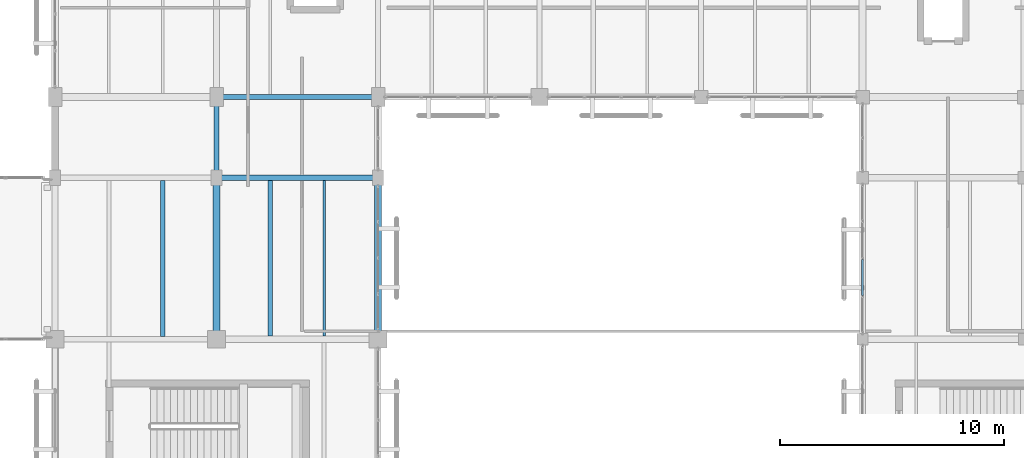
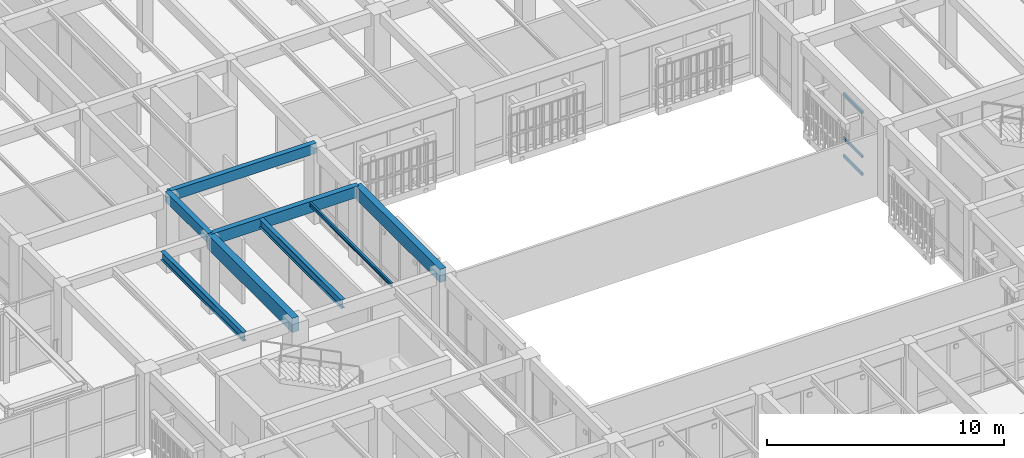
# One storey, part 105 of 170: 8 beams, 3 members, 1 element without a shape of its own.
"""IFC4 building model written with IfcOpenShell, lengths in metres."""

import ifcopenshell
import ifcopenshell.guid

model = None  # the IFC model being written
_history = None  # IfcOwnerHistory: only IFC2X3 demands one
_inside = {}  # id of a spatial element -> (the spatial element, [elements in it])
_under = {}  # id of a project, library or spatial element -> (it, [spatial elements below it])
_declared = {}  # id of a project -> (the project, [libraries it declares])
_typed = {}  # id of a type object -> (the type object, [elements of that type])
_made_of = {}  # id of a material, layer set ... -> (it, [elements and type objects made of it])


def new_model(schema):
    """Start an empty IFC model of exactly this schema.

    Asked for "IFC4X3", IfcOpenShell would pick the latest addendum, in which some entities
    have other attributes; the version numbers below select the first issue.
    IFC2X3 requires an IfcOwnerHistory on every rooted entity: one is made here for all.
    """
    global model, _history
    if schema == "IFC4X3":
        model = ifcopenshell.file(schema_version=(4, 3, 0, 0))
    else:
        model = ifcopenshell.file(schema=schema)
    _inside.clear()
    _under.clear()
    _declared.clear()
    _typed.clear()
    _made_of.clear()
    _history = None
    if model.schema == "IFC2X3":
        org = make("IfcOrganization", Name="unknown")
        user = make(
            "IfcPersonAndOrganization",
            ThePerson=make("IfcPerson", FamilyName="unknown"),
            TheOrganization=org,
        )
        app = make(
            "IfcApplication",
            ApplicationDeveloper=org,
            Version="unknown",
            ApplicationFullName="unknown",
            ApplicationIdentifier="unknown",
        )
        _history = make(
            "IfcOwnerHistory",
            OwningUser=user,
            OwningApplication=app,
            ChangeAction="ADDED",
            CreationDate=0,
        )
    return model


def make(cls, **values):
    """One entity of the class cls with the attributes given. An attribute that is None is left unset."""
    return model.create_entity(
        cls, **{name: value for name, value in values.items() if value is not None}
    )


def rooted(cls, **values):
    """An entity with a GlobalId (a new one), such as an element, a storey or a relation."""
    return make(cls, GlobalId=ifcopenshell.guid.new(), OwnerHistory=_history, **values)


def si_unit(unit_type, name, prefix=None):
    """IfcSIUnit, for example si_unit("LENGTHUNIT", "METRE", prefix="MILLI")."""
    return make("IfcSIUnit", UnitType=unit_type, Prefix=prefix, Name=name)


def assignment(units):
    """IfcUnitAssignment: the units of a project."""
    return None if units is None else make("IfcUnitAssignment", Units=units)


def point(xyz):
    """IfcCartesianPoint."""
    return None if xyz is None else make("IfcCartesianPoint", Coordinates=xyz)


def direction(xyz):
    """IfcDirection."""
    return None if xyz is None else make("IfcDirection", DirectionRatios=xyz)


def frame(location, z_axis=None, x_axis=None):
    """IfcAxis2Placement3D, a coordinate frame: its origin and axes. An axis left out is left unset."""
    return make(
        "IfcAxis2Placement3D",
        Location=point(location),
        Axis=direction(z_axis),
        RefDirection=direction(x_axis),
    )


def frame_2d(location, x_axis=None):
    """IfcAxis2Placement2D, a coordinate frame in the plane: its origin and x axis."""
    return make(
        "IfcAxis2Placement2D", Location=point(location), RefDirection=direction(x_axis)
    )


def origin():
    """The frame at (0, 0, 0) with its axes left unset."""
    return frame((0.0, 0.0, 0.0))


def origin_2d():
    """The frame at (0, 0) in the plane with its x axis left unset."""
    return frame_2d((0.0, 0.0))


def place(relative_to, where):
    """IfcLocalPlacement: puts the frame where relative to a parent placement (None: the world)."""
    return make(
        "IfcLocalPlacement", PlacementRelTo=relative_to, RelativePlacement=where
    )


def context(
    kind, dimensions, precision=None, world=None, true_north=None, identifier=None
):
    """IfcGeometricRepresentationContext, for example the 3D "Model" context."""
    return make(
        "IfcGeometricRepresentationContext",
        ContextIdentifier=identifier,
        ContextType=kind,
        CoordinateSpaceDimension=dimensions,
        Precision=precision,
        WorldCoordinateSystem=world,
        TrueNorth=true_north,
    )


def subcontext(parent, identifier, kind, view, scale=None):
    """IfcGeometricRepresentationSubContext, for example "Body" below "Model"."""
    return make(
        "IfcGeometricRepresentationSubContext",
        ContextIdentifier=identifier,
        ContextType=kind,
        ParentContext=parent,
        TargetScale=scale,
        TargetView=view,
    )


def project(units=None, contexts=None):
    """IfcProject with its units and contexts."""
    return rooted(
        "IfcProject",
        Name="project",
        RepresentationContexts=contexts,
        UnitsInContext=assignment(units),
    )


def spatial(cls, under=None, at=None, **own):
    """A site, building, storey or space (cls), placed at a placement, below another one or the project."""
    s = rooted(cls, ObjectPlacement=at, **own)
    if under is not None:
        _under.setdefault(under.id(), (under, []))[1].append(s)
    return s


def profile(cls, at=None, kind="AREA", **sizes):
    """A parametric profile (cls). Its sizes go by their IFC names, for example OverallWidth=200.0."""
    return make(cls, ProfileType=kind, Position=at, **sizes)


def rectangle(**sizes):
    """IfcRectangleProfileDef."""
    return profile("IfcRectangleProfileDef", **sizes)


def hollow_rectangle(**sizes):
    """IfcRectangleHollowProfileDef."""
    return profile("IfcRectangleHollowProfileDef", **sizes)


def i_section(**sizes):
    """IfcIShapeProfileDef."""
    return profile("IfcIShapeProfileDef", **sizes)


def extrude(swept, where, along, depth):
    """IfcExtrudedAreaSolid: the profile swept, set in the frame where, extruded along a direction by depth."""
    return make(
        "IfcExtrudedAreaSolid",
        SweptArea=swept,
        Position=where,
        ExtrudedDirection=direction(along),
        Depth=depth,
    )


def shape(context_of_items, identifier, shape_type, items):
    """IfcShapeRepresentation: the items that make up one representation, for example the "Body"."""
    return make(
        "IfcShapeRepresentation",
        ContextOfItems=context_of_items,
        RepresentationIdentifier=identifier,
        RepresentationType=shape_type,
        Items=items,
    )


def material(Name=None, Category=None):
    """IfcMaterial."""
    return make("IfcMaterial", Name=Name, Category=Category)


def layer(
    of_material, thickness, ventilated=None, Name=None, Category=None, Priority=None
):
    """IfcMaterialLayer: one layer of a wall or slab, of a material (None: an air gap)."""
    return make(
        "IfcMaterialLayer",
        Material=of_material,
        LayerThickness=thickness,
        IsVentilated=ventilated,
        Name=Name,
        Category=Category,
        Priority=Priority,
    )


def layer_set(layers, Name=None):
    """IfcMaterialLayerSet."""
    return make("IfcMaterialLayerSet", MaterialLayers=layers, LayerSetName=Name)


def material_profile(
    of_material, cross_section, Name=None, Category=None, Priority=None
):
    """IfcMaterialProfile: a cross section and its material."""
    return make(
        "IfcMaterialProfile",
        Name=Name,
        Material=of_material,
        Profile=cross_section,
        Priority=Priority,
        Category=Category,
    )


def profile_set(profiles, Name=None, composite=None):
    """IfcMaterialProfileSet."""
    return make(
        "IfcMaterialProfileSet",
        Name=Name,
        MaterialProfiles=profiles,
        CompositeProfile=composite,
    )


def made_of(thing, what):
    """Note that an element or type object is made of a material, layer set ...; save() writes the relation."""
    if what is not None:
        _made_of.setdefault(what.id(), (what, []))[1].append(thing)
    return thing


def type_object(cls, material=None, **own):
    """A type object (cls), such as IfcWallType, which elements share."""
    return made_of(rooted(cls, **own), material)


def element(
    cls,
    number,
    at=None,
    inside=None,
    cuts=None,
    type_object=None,
    material=None,
    context=None,
    identifier="Body",
    shape_type=None,
    held_by="IfcProductDefinitionShape",
    body=None,
    shapes=None,
    **own,
):
    """One element of the class cls, such as IfcWall. Its Tag is "e" and its number.

    at: its placement. inside: the storey or other place that contains it. cuts: it is an
    opening in that element (IfcRelVoidsElement). A single representation is given by context,
    identifier, shape_type and body (its items); several are given by shapes. held_by: the class
    of the entity that holds the representations. save() writes the other relations.
    """
    e = rooted(cls, Tag="e%d" % number, ObjectPlacement=at, **own)
    if body is not None:
        shapes = [shape(context, identifier, shape_type, body)]
    if shapes is not None:
        e.Representation = make(held_by, Representations=shapes)
    if inside is not None:
        _inside.setdefault(inside.id(), (inside, []))[1].append(e)
    if cuts is not None:
        rooted(
            "IfcRelVoidsElement", RelatingBuildingElement=cuts, RelatedOpeningElement=e
        )
    if type_object is not None:
        _typed.setdefault(type_object.id(), (type_object, []))[1].append(e)
    return made_of(e, material)


def aggregate(whole, parts):
    """IfcRelAggregates: a whole, such as a stair, and the parts it consists of."""
    return rooted("IfcRelAggregates", RelatingObject=whole, RelatedObjects=parts)


def save(model, path):
    """Write the relations noted so far, then the file.

    IfcRelAggregates (storeys below a building ...), IfcRelContainedInSpatialStructure (elements
    in a storey), IfcRelDefinesByType, IfcRelAssociatesMaterial and IfcRelDeclares: one each for
    every whole, place, type object, material and project.
    """
    for whole, parts in _under.values():
        aggregate(whole, parts)
    for where, things in _inside.values():
        rooted(
            "IfcRelContainedInSpatialStructure",
            RelatedElements=things,
            RelatingStructure=where,
        )
    for kind, things in _typed.values():
        rooted("IfcRelDefinesByType", RelatedObjects=things, RelatingType=kind)
    for what, things in _made_of.values():
        rooted("IfcRelAssociatesMaterial", RelatedObjects=things, RelatingMaterial=what)
    for by, libraries in _declared.values():
        rooted("IfcRelDeclares", RelatingContext=by, RelatedDefinitions=libraries)
    model.write(path)


model = new_model("IFC4")

# Units and contexts
model_context = context("Model", 3, precision=1e-05, world=origin(), true_north=direction((0.0, 1.0)))
body_context = subcontext(model_context, "Body", "Model", "MODEL_VIEW")
ifc_project = project(units=[si_unit("LENGTHUNIT", "METRE"), si_unit("AREAUNIT", "SQUARE_METRE"), si_unit("VOLUMEUNIT", "CUBIC_METRE"), si_unit("PLANEANGLEUNIT", "RADIAN"), si_unit("MASSUNIT", "GRAM", prefix="KILO")], contexts=[model_context])

# Site, building, storey
site_placement = place(None, origin())
site = spatial("IfcSite", under=ifc_project, at=site_placement, CompositionType="ELEMENT")
building_placement = place(site_placement, origin())
building = spatial("IfcBuilding", under=site, at=building_placement, Name="Mazaris Harbour Polytechnic", CompositionType="ELEMENT")
storey_placement = place(building_placement, frame((0.0, 0.0, 5.39990234375)))
storey = spatial("IfcBuildingStorey", under=building, at=storey_placement, Name="L01", CompositionType="ELEMENT", Elevation=5.39990234375)

# Curtain wall, members
ifc_material_1 = material(Name="Anodised Bronze Aluminium and Low-E Glass", Category="aluminium")
ifc_layer = layer(ifc_material_1, 0.169921875, Name="Anodised Bronze Aluminium and Low-E Glass")
ifc_layer_set = layer_set([ifc_layer], Name="Anodised Bronze Aluminium and Low-E Glass")
curtain_wall_type = type_object("IfcCurtainWallType", Name="Studio North-Light Curtain Wall", PredefinedType="NOTDEFINED", material=ifc_layer_set)
curtain_wall_placement = place(storey_placement, origin())
curtain_wall = element("IfcCurtainWall", 1, at=curtain_wall_placement, inside=storey, type_object=curtain_wall_type, Name="V5 L01 Curtain Wall 225", PredefinedType="NOTDEFINED")
ifc_material_2 = material(Name="Anodised Bronze Steel S355", Category="steel")
ifc_material_profile_1 = material_profile(ifc_material_2, hollow_rectangle(XDim=0.080078125, YDim=0.139892578125, WallThickness=0.00634765625, at=origin_2d()), Name="RHS 80x140x6.3")
ifc_profile_set_1 = profile_set([ifc_material_profile_1], Name="Anodised Bronze Steel S355")
member_type = type_object("IfcMemberType", Name="Curtain Transom RHS80x140", PredefinedType="USERDEFINED", material=ifc_profile_set_1)
member_1_placement = place(storey_placement, frame((158.39990234375, 79.1474609375, 0.0400390625), z_axis=(0.0, -1.0, 0.0), x_axis=(1.0, 0.0, 0.0)))
member_1 = element("IfcMember", 2, at=member_1_placement, type_object=member_type, Name="CW-03 transom 3.1", ObjectType="TRANSOM", PredefinedType="USERDEFINED", context=body_context, shape_type="SweptSolid", body=[
    extrude(hollow_rectangle(XDim=0.080078125, YDim=0.139892578125, WallThickness=0.00634765625, at=origin_2d()), origin(), (0.0, 0.0, 1.0), 1.5927734375),
])
member_2_placement = place(storey_placement, frame((158.39990234375, 79.1474609375, 0.9501953125), z_axis=(0.0, -1.0, 0.0), x_axis=(1.0, 0.0, 0.0)))
member_2 = element("IfcMember", 3, at=member_2_placement, type_object=member_type, Name="CW-03 transom 3.2", ObjectType="TRANSOM", PredefinedType="USERDEFINED", context=body_context, shape_type="SweptSolid", body=[
    extrude(hollow_rectangle(XDim=0.080078125, YDim=0.139892578125, WallThickness=0.00634765625, at=origin_2d()), origin(), (0.0, 0.0, 1.0), 1.5927734375),
])
member_3_placement = place(storey_placement, frame((158.39990234375, 79.1474609375, 3.22998046875), z_axis=(0.0, -1.0, 0.0), x_axis=(1.0, 0.0, 0.0)))
member_3 = element("IfcMember", 4, at=member_3_placement, type_object=member_type, Name="CW-03 transom 3.3", ObjectType="TRANSOM", PredefinedType="USERDEFINED", context=body_context, shape_type="SweptSolid", body=[
    extrude(hollow_rectangle(XDim=0.080078125, YDim=0.139892578125, WallThickness=0.00634765625, at=origin_2d()), origin(), (0.0, 0.0, 1.0), 1.5927734375),
])
aggregate(curtain_wall, [member_1, member_2, member_3])

# Beams
ifc_material_3 = material(Name="Glulam GL32h", Category="wood")
ifc_material_profile_2 = material_profile(ifc_material_3, rectangle(XDim=0.239990234375, YDim=0.52001953125, at=origin_2d()), Name="RECT240x520")
ifc_profile_set_2 = profile_set([ifc_material_profile_2], Name="Glulam GL32h")
beam_type_1 = type_object("IfcBeamType", Name="Glulam Girder 240x520", PredefinedType="BEAM", material=ifc_profile_set_2)
beam_1_placement = place(storey_placement, frame((129.60009765625, 86.39990234375, 3.66015625), z_axis=(1.0, 0.0, 0.0), x_axis=(0.0, 1.0, 0.0)))
element("IfcBeam", 5, at=beam_1_placement, inside=storey, type_object=beam_type_1, Name="V5 L01 Girder 2940", PredefinedType="BEAM", context=body_context, shape_type="SweptSolid", body=[
    extrude(rectangle(XDim=0.239990234375, YDim=0.52001953125, at=origin_2d()), origin(), (0.0, 0.0, 1.0), 7.199951171875),
])
beam_2_placement = place(storey_placement, frame((129.60009765625, 82.800048828125, 3.66015625), z_axis=(0.0, 1.0, 0.0), x_axis=(-1.0, 0.0, 0.0)))
element("IfcBeam", 6, at=beam_2_placement, inside=storey, type_object=beam_type_1, Name="V5 L01 Tie Girder 2980", PredefinedType="BEAM", context=body_context, shape_type="SweptSolid", body=[
    extrude(rectangle(XDim=0.239990234375, YDim=0.52001953125, at=origin_2d()), origin(), (0.0, 0.0, 1.0), 3.599853515625),
])
ifc_material_4 = material(Name="Glulam GL32h", Category="wood")
ifc_material_profile_3 = material_profile(ifc_material_4, rectangle(XDim=0.260009765625, YDim=0.580078125, at=origin_2d()), Name="RECT260x580")
ifc_profile_set_3 = profile_set([ifc_material_profile_3], Name="Glulam GL32h")
beam_type_2 = type_object("IfcBeamType", Name="Glulam Girder 260x580", PredefinedType="BEAM", material=ifc_profile_set_3)
beam_3_placement = place(storey_placement, frame((129.60009765625, 82.800048828125, 3.630126953125), z_axis=(1.0, 0.0, 0.0), x_axis=(0.0, 1.0, 0.0)))
element("IfcBeam", 7, at=beam_3_placement, inside=storey, type_object=beam_type_2, Name="V5 L01 Girder 2936", PredefinedType="BEAM", context=body_context, shape_type="SweptSolid", body=[
    extrude(rectangle(XDim=0.260009765625, YDim=0.580078125, at=origin_2d()), origin(), (0.0, 0.0, 1.0), 7.199951171875),
])
ifc_material_5 = material(Name="Glulam GL32h", Category="wood")
ifc_material_profile_4 = material_profile(ifc_material_5, rectangle(XDim=0.300048828125, YDim=0.679931640625, at=origin_2d()), Name="RECT300x680")
ifc_profile_set_4 = profile_set([ifc_material_profile_4], Name="Glulam GL32h")
beam_type_3 = type_object("IfcBeamType", Name="Glulam Girder 300x680", PredefinedType="BEAM", material=ifc_profile_set_4)
beam_4_placement = place(storey_placement, frame((136.800048828125, 75.60009765625, 3.580078125), z_axis=(0.0, 1.0, 0.0), x_axis=(-1.0, 0.0, 0.0)))
element("IfcBeam", 8, at=beam_4_placement, inside=storey, type_object=beam_type_3, Name="V5 L01 Tie Girder 2988", PredefinedType="BEAM", context=body_context, shape_type="SweptSolid", body=[
    extrude(rectangle(XDim=0.300048828125, YDim=0.679931640625, at=origin_2d()), origin(), (0.0, 0.0, 1.0), 7.199951171875),
])
ifc_material_6 = material(Name="Glulam GL32h", Category="wood")
ifc_material_profile_5 = material_profile(ifc_material_6, rectangle(XDim=0.320068359375, YDim=0.739990234375, at=origin_2d()), Name="RECT320x740")
ifc_profile_set_5 = profile_set([ifc_material_profile_5], Name="Glulam GL32h")
beam_type_4 = type_object("IfcBeamType", Name="Glulam Girder 320x740", PredefinedType="BEAM", material=ifc_profile_set_5)
beam_5_placement = place(storey_placement, frame((129.60009765625, 75.60009765625, 3.550048828125), z_axis=(0.0, 1.0, 0.0), x_axis=(-1.0, 0.0, 0.0)))
element("IfcBeam", 9, at=beam_5_placement, inside=storey, type_object=beam_type_4, Name="V5 L01 Tie Girder 2979", PredefinedType="BEAM", context=body_context, shape_type="SweptSolid", body=[
    extrude(rectangle(XDim=0.320068359375, YDim=0.739990234375, at=origin_2d()), origin(), (0.0, 0.0, 1.0), 7.199951171875),
])
ifc_material_7 = material(Name="Steel S355", Category="steel")
ifc_material_profile_6 = material_profile(ifc_material_7, i_section(OverallWidth=0.10009765625, OverallDepth=0.199951171875, WebThickness=0.005615234375, FlangeThickness=0.008544921875, FilletRadius=0.011962890625, at=origin_2d()), Name="IPE 200")
ifc_profile_set_6 = profile_set([ifc_material_profile_6], Name="Steel S355")
beam_type_5 = type_object("IfcBeamType", Name="Steel Joist IPE200", PredefinedType="JOIST", material=ifc_profile_set_6)
beam_6_placement = place(storey_placement, frame((134.39990234375, 75.739990234375, 3.820068359375), z_axis=(0.0, 1.0, 0.0), x_axis=(-1.0, 0.0, 0.0)))
element("IfcBeam", 10, at=beam_6_placement, inside=storey, type_object=beam_type_5, Name="V5 L01 Floor Joist 3052", PredefinedType="JOIST", context=body_context, shape_type="SweptSolid", body=[
    extrude(i_section(OverallWidth=0.10009765625, OverallDepth=0.199951171875, WebThickness=0.005615234375, FlangeThickness=0.008544921875, FilletRadius=0.011962890625, at=origin_2d()), origin(), (0.0, 0.0, 1.0), 6.929931640625),
])
ifc_material_8 = material(Name="Steel S355", Category="steel")
ifc_material_profile_7 = material_profile(ifc_material_8, i_section(OverallWidth=0.18994140625, OverallDepth=0.449951171875, WebThickness=0.009521484375, FlangeThickness=0.0146484375, FilletRadius=0.02099609375, at=origin_2d()), Name="IPE 450")
ifc_profile_set_7 = profile_set([ifc_material_profile_7], Name="Steel S355")
beam_type_6 = type_object("IfcBeamType", Name="Steel Joist IPE450", PredefinedType="JOIST", material=ifc_profile_set_7)
beam_7_placement = place(storey_placement, frame((127.199951171875, 75.72998046875, 3.695068359375), z_axis=(0.0, 1.0, 0.0), x_axis=(-1.0, 0.0, 0.0)))
element("IfcBeam", 11, at=beam_7_placement, inside=storey, type_object=beam_type_6, Name="V5 L01 Floor Joist 3037", PredefinedType="JOIST", context=body_context, shape_type="SweptSolid", body=[
    extrude(i_section(OverallWidth=0.18994140625, OverallDepth=0.449951171875, WebThickness=0.009521484375, FlangeThickness=0.0146484375, FilletRadius=0.02099609375, at=origin_2d()), origin(), (0.0, 0.0, 1.0), 6.949951171875),
])
beam_8_placement = place(storey_placement, frame((132.0, 75.739990234375, 3.695068359375), z_axis=(0.0, 1.0, 0.0), x_axis=(-1.0, 0.0, 0.0)))
element("IfcBeam", 12, at=beam_8_placement, inside=storey, type_object=beam_type_6, Name="V5 L01 Floor Joist 3051", PredefinedType="JOIST", context=body_context, shape_type="SweptSolid", body=[
    extrude(i_section(OverallWidth=0.18994140625, OverallDepth=0.449951171875, WebThickness=0.009521484375, FlangeThickness=0.0146484375, FilletRadius=0.02099609375, at=origin_2d()), origin(), (0.0, 0.0, 1.0), 6.929931640625),
])

save(model, "model.ifc")
